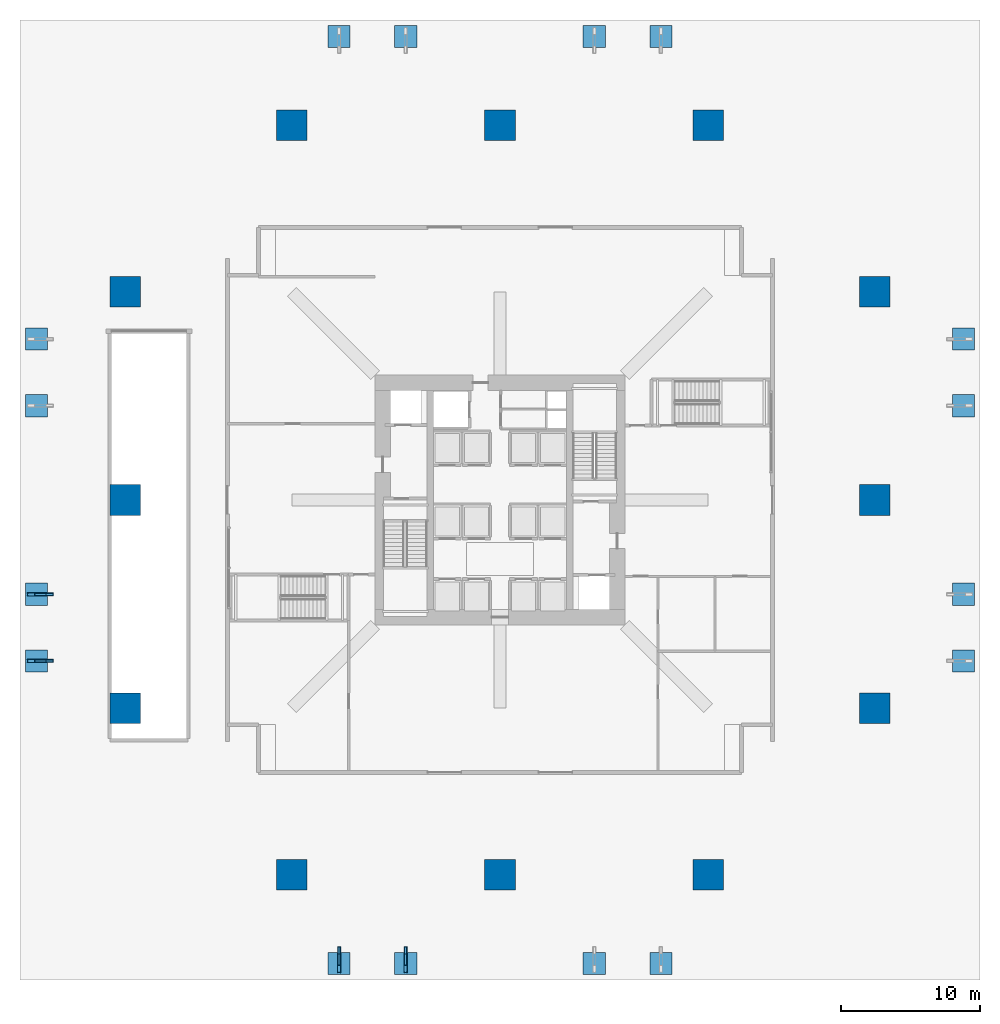
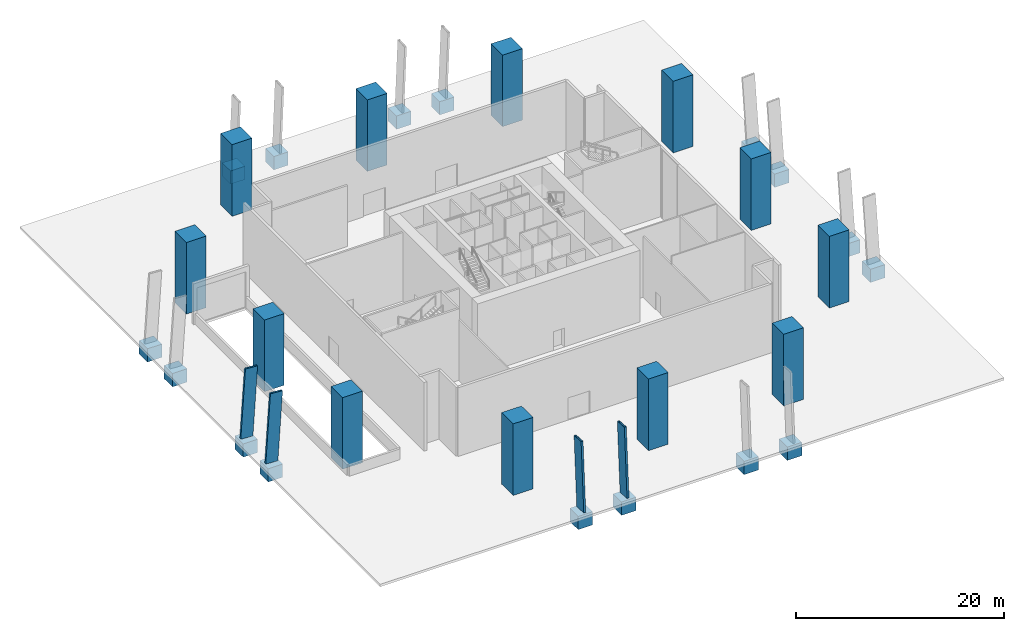
# One storey, part 1 of 12: 16 footings, 12 columns, 4 members.
"""IFC4 building model written with IfcOpenShell, lengths in metres."""

from ifc_helpers import new_model, si_unit, direction, frame, origin, origin_2d, place, context, subcontext, project, spatial, polyline, rectangle, hollow_rectangle, outline, extrude, material, layer, layer_set, material_profile, profile_set, type_object, element, save


model = new_model("IFC4")

# Units and contexts
model_context = context("Model", 3, precision=1e-05, world=origin(), true_north=direction((0.0, 1.0)))
body_context = subcontext(model_context, "Body", "Model", "MODEL_VIEW")
ifc_project = project(units=[si_unit("LENGTHUNIT", "METRE"), si_unit("AREAUNIT", "SQUARE_METRE"), si_unit("VOLUMEUNIT", "CUBIC_METRE"), si_unit("PLANEANGLEUNIT", "RADIAN"), si_unit("MASSUNIT", "GRAM", prefix="KILO")], contexts=[model_context])

# Site, building, storey
site_placement = place(None, origin())
site = spatial("IfcSite", under=ifc_project, at=site_placement, CompositionType="ELEMENT")
building_placement = place(site_placement, origin())
building = spatial("IfcBuilding", under=site, at=building_placement, Name="Belovzor Exchange Tower", CompositionType="ELEMENT")
storey_placement = place(building_placement, origin())
storey = spatial("IfcBuildingStorey", under=building, at=storey_placement, Name="L01", CompositionType="ELEMENT", Elevation=0.0)

# Footings
ifc_material_1 = material(Name="Concrete C50/60", Category="concrete")
ifc_layer = layer(ifc_material_1, 1.555908203125)
ifc_layer_set = layer_set([ifc_layer], Name="Concrete C50/60")
footing_type = type_object("IfcFootingType", Name="Reinforced Concrete Fin Arch Thrust Pad Footing 1600x1600", PredefinedType="PAD_FOOTING", material=ifc_layer_set)
footing_1_placement = place(storey_placement, frame((0.0, 0.0, -1.60009765625)))
element("IfcFooting", 1, at=footing_1_placement, inside=storey, type_object=footing_type, Name="PC-FIN Sweeping Fin Arch Thrust Pad Footing S1", PredefinedType="PAD_FOOTING", context=body_context, shape_type="SweptSolid", body=[
    extrude(outline(polyline([(16.39990234375, -5.39990234375), (18.0, -5.39990234375), (18.0, -3.800048828125), (16.39990234375, -3.800048828125), (16.39990234375, -5.39990234375)])), origin(), (0.0, 0.0, 1.0), 1.55615234375),
])
footing_2_placement = place(storey_placement, frame((0.0, 0.0, -1.60009765625)))
element("IfcFooting", 2, at=footing_2_placement, inside=storey, type_object=footing_type, Name="PC-FIN Sweeping Fin Arch Thrust Pad Footing N1", PredefinedType="PAD_FOOTING", context=body_context, shape_type="SweptSolid", body=[
    extrude(outline(polyline([(16.39990234375, 61.39990234375), (18.0, 61.39990234375), (18.0, 63.0), (16.39990234375, 63.0), (16.39990234375, 61.39990234375)])), origin(), (0.0, 0.0, 1.0), 1.55615234375),
])
footing_3_placement = place(storey_placement, frame((0.0, 0.0, -1.60009765625)))
element("IfcFooting", 3, at=footing_3_placement, inside=storey, type_object=footing_type, Name="PC-FIN Sweeping Fin Arch Thrust Pad Footing W1", PredefinedType="PAD_FOOTING", context=body_context, shape_type="SweptSolid", body=[
    extrude(outline(polyline([(-5.39990234375, 16.39990234375), (-3.800048828125, 16.39990234375), (-3.800048828125, 18.0), (-5.39990234375, 18.0), (-5.39990234375, 16.39990234375)])), origin(), (0.0, 0.0, 1.0), 1.55615234375),
])
footing_4_placement = place(storey_placement, frame((0.0, 0.0, -1.60009765625)))
element("IfcFooting", 4, at=footing_4_placement, inside=storey, type_object=footing_type, Name="PC-FIN Sweeping Fin Arch Thrust Pad Footing E1", PredefinedType="PAD_FOOTING", context=body_context, shape_type="SweptSolid", body=[
    extrude(outline(polyline([(61.39990234375, 16.39990234375), (63.0, 16.39990234375), (63.0, 18.0), (61.39990234375, 18.0), (61.39990234375, 16.39990234375)])), origin(), (0.0, 0.0, 1.0), 1.55615234375),
])
footing_5_placement = place(storey_placement, frame((0.0, 0.0, -1.60009765625)))
element("IfcFooting", 5, at=footing_5_placement, inside=storey, type_object=footing_type, Name="PC-FIN Sweeping Fin Arch Thrust Pad Footing S2", PredefinedType="PAD_FOOTING", context=body_context, shape_type="SweptSolid", body=[
    extrude(outline(polyline([(21.199951171875, -5.39990234375), (22.800048828125, -5.39990234375), (22.800048828125, -3.800048828125), (21.199951171875, -3.800048828125), (21.199951171875, -5.39990234375)])), origin(), (0.0, 0.0, 1.0), 1.55615234375),
])
footing_6_placement = place(storey_placement, frame((0.0, 0.0, -1.60009765625)))
element("IfcFooting", 6, at=footing_6_placement, inside=storey, type_object=footing_type, Name="PC-FIN Sweeping Fin Arch Thrust Pad Footing N2", PredefinedType="PAD_FOOTING", context=body_context, shape_type="SweptSolid", body=[
    extrude(outline(polyline([(21.199951171875, 61.39990234375), (22.800048828125, 61.39990234375), (22.800048828125, 63.0), (21.199951171875, 63.0), (21.199951171875, 61.39990234375)])), origin(), (0.0, 0.0, 1.0), 1.55615234375),
])
footing_7_placement = place(storey_placement, frame((0.0, 0.0, -1.60009765625)))
element("IfcFooting", 7, at=footing_7_placement, inside=storey, type_object=footing_type, Name="PC-FIN Sweeping Fin Arch Thrust Pad Footing W2", PredefinedType="PAD_FOOTING", context=body_context, shape_type="SweptSolid", body=[
    extrude(outline(polyline([(-5.39990234375, 21.199951171875), (-3.800048828125, 21.199951171875), (-3.800048828125, 22.800048828125), (-5.39990234375, 22.800048828125), (-5.39990234375, 21.199951171875)])), origin(), (0.0, 0.0, 1.0), 1.55615234375),
])
footing_8_placement = place(storey_placement, frame((0.0, 0.0, -1.60009765625)))
element("IfcFooting", 8, at=footing_8_placement, inside=storey, type_object=footing_type, Name="PC-FIN Sweeping Fin Arch Thrust Pad Footing E2", PredefinedType="PAD_FOOTING", context=body_context, shape_type="SweptSolid", body=[
    extrude(outline(polyline([(61.39990234375, 21.199951171875), (63.0, 21.199951171875), (63.0, 22.800048828125), (61.39990234375, 22.800048828125), (61.39990234375, 21.199951171875)])), origin(), (0.0, 0.0, 1.0), 1.55615234375),
])
footing_9_placement = place(storey_placement, frame((0.0, 0.0, -1.60009765625)))
element("IfcFooting", 9, at=footing_9_placement, inside=storey, type_object=footing_type, Name="PC-FIN Sweeping Fin Arch Thrust Pad Footing S3", PredefinedType="PAD_FOOTING", context=body_context, shape_type="SweptSolid", body=[
    extrude(outline(polyline([(34.800048828125, -5.39990234375), (36.39990234375, -5.39990234375), (36.39990234375, -3.800048828125), (34.800048828125, -3.800048828125), (34.800048828125, -5.39990234375)])), origin(), (0.0, 0.0, 1.0), 1.55615234375),
])
footing_10_placement = place(storey_placement, frame((0.0, 0.0, -1.60009765625)))
element("IfcFooting", 10, at=footing_10_placement, inside=storey, type_object=footing_type, Name="PC-FIN Sweeping Fin Arch Thrust Pad Footing N3", PredefinedType="PAD_FOOTING", context=body_context, shape_type="SweptSolid", body=[
    extrude(outline(polyline([(34.800048828125, 61.39990234375), (36.39990234375, 61.39990234375), (36.39990234375, 63.0), (34.800048828125, 63.0), (34.800048828125, 61.39990234375)])), origin(), (0.0, 0.0, 1.0), 1.55615234375),
])
footing_11_placement = place(storey_placement, frame((0.0, 0.0, -1.60009765625)))
element("IfcFooting", 11, at=footing_11_placement, inside=storey, type_object=footing_type, Name="PC-FIN Sweeping Fin Arch Thrust Pad Footing W3", PredefinedType="PAD_FOOTING", context=body_context, shape_type="SweptSolid", body=[
    extrude(outline(polyline([(-5.39990234375, 34.800048828125), (-3.800048828125, 34.800048828125), (-3.800048828125, 36.39990234375), (-5.39990234375, 36.39990234375), (-5.39990234375, 34.800048828125)])), origin(), (0.0, 0.0, 1.0), 1.55615234375),
])
footing_12_placement = place(storey_placement, frame((0.0, 0.0, -1.60009765625)))
element("IfcFooting", 12, at=footing_12_placement, inside=storey, type_object=footing_type, Name="PC-FIN Sweeping Fin Arch Thrust Pad Footing E3", PredefinedType="PAD_FOOTING", context=body_context, shape_type="SweptSolid", body=[
    extrude(outline(polyline([(61.39990234375, 34.800048828125), (63.0, 34.800048828125), (63.0, 36.39990234375), (61.39990234375, 36.39990234375), (61.39990234375, 34.800048828125)])), origin(), (0.0, 0.0, 1.0), 1.55615234375),
])
footing_13_placement = place(storey_placement, frame((0.0, 0.0, -1.60009765625)))
element("IfcFooting", 13, at=footing_13_placement, inside=storey, type_object=footing_type, Name="PC-FIN Sweeping Fin Arch Thrust Pad Footing S4", PredefinedType="PAD_FOOTING", context=body_context, shape_type="SweptSolid", body=[
    extrude(outline(polyline([(39.60009765625, -5.39990234375), (41.199951171875, -5.39990234375), (41.199951171875, -3.800048828125), (39.60009765625, -3.800048828125), (39.60009765625, -5.39990234375)])), origin(), (0.0, 0.0, 1.0), 1.55615234375),
])
footing_14_placement = place(storey_placement, frame((0.0, 0.0, -1.60009765625)))
element("IfcFooting", 14, at=footing_14_placement, inside=storey, type_object=footing_type, Name="PC-FIN Sweeping Fin Arch Thrust Pad Footing N4", PredefinedType="PAD_FOOTING", context=body_context, shape_type="SweptSolid", body=[
    extrude(outline(polyline([(39.60009765625, 61.39990234375), (41.199951171875, 61.39990234375), (41.199951171875, 63.0), (39.60009765625, 63.0), (39.60009765625, 61.39990234375)])), origin(), (0.0, 0.0, 1.0), 1.55615234375),
])
footing_15_placement = place(storey_placement, frame((0.0, 0.0, -1.60009765625)))
element("IfcFooting", 15, at=footing_15_placement, inside=storey, type_object=footing_type, Name="PC-FIN Sweeping Fin Arch Thrust Pad Footing W4", PredefinedType="PAD_FOOTING", context=body_context, shape_type="SweptSolid", body=[
    extrude(outline(polyline([(-5.39990234375, 39.60009765625), (-3.800048828125, 39.60009765625), (-3.800048828125, 41.199951171875), (-5.39990234375, 41.199951171875), (-5.39990234375, 39.60009765625)])), origin(), (0.0, 0.0, 1.0), 1.55615234375),
])
footing_16_placement = place(storey_placement, frame((0.0, 0.0, -1.60009765625)))
element("IfcFooting", 16, at=footing_16_placement, inside=storey, type_object=footing_type, Name="PC-FIN Sweeping Fin Arch Thrust Pad Footing E4", PredefinedType="PAD_FOOTING", context=body_context, shape_type="SweptSolid", body=[
    extrude(outline(polyline([(61.39990234375, 39.60009765625), (63.0, 39.60009765625), (63.0, 41.199951171875), (61.39990234375, 41.199951171875), (61.39990234375, 39.60009765625)])), origin(), (0.0, 0.0, 1.0), 1.55615234375),
])

# Columns
ifc_material_2 = material(Name="Concrete C60/75", Category="concrete")
ifc_material_profile_1 = material_profile(ifc_material_2, rectangle(XDim=2.199951171875, YDim=2.199951171875, at=origin_2d()))
ifc_profile_set_1 = profile_set([ifc_material_profile_1], Name="Concrete C60/75")
column_type = type_object("IfcColumnType", Name="Sculpted Mega-Pilotis Composite Column 2200x2200", PredefinedType="PILASTER", material=ifc_profile_set_1)
for number, where, z_axis, x_axis, name in (
    (17, (13.800048828125, 1.800048828125, 0.001953125), (0.0, 0.0, 1.0), (1.0, 0.0, 0.0), "COL-MP220 Sculpted Mega-Pilotis Composite Column 2200x2200"),
    (18, (28.800048828125, 1.800048828125, 0.001953125), (0.0, 0.0, 1.0), (1.0, 0.0, 0.0), "COL-MP220 Sculpted Mega-Pilotis Composite Column 2200x2200"),
    (19, (43.800048828125, 1.800048828125, 0.001953125), (0.0, 0.0, 1.0), (1.0, 0.0, 0.0), "COL-MP220 Sculpted Mega-Pilotis Composite Column 2200x2200"),
    (20, (55.800048828125, 13.800048828125, 0.001953125), (0.0, 0.0, 1.0), (1.0, 0.0, 0.0), "COL-MP220 Sculpted Mega-Pilotis Composite Column 2200x2200"),
    (21, (55.800048828125, 28.800048828125, 0.001953125), (0.0, 0.0, 1.0), (1.0, 0.0, 0.0), "COL-MP220 Sculpted Mega-Pilotis Composite Column 2200x2200"),
    (22, (55.800048828125, 43.800048828125, 0.001953125), (0.0, 0.0, 1.0), (1.0, 0.0, 0.0), "COL-MP220 Sculpted Mega-Pilotis Composite Column 2200x2200"),
    (23, (43.800048828125, 55.800048828125, 0.001953125), (0.0, 0.0, 1.0), (1.0, 0.0, 0.0), "COL-MP220 Sculpted Mega-Pilotis Composite Column 2200x2200"),
    (24, (28.800048828125, 55.800048828125, 0.001953125), (0.0, 0.0, 1.0), (1.0, 0.0, 0.0), "COL-MP220 Sculpted Mega-Pilotis Composite Column 2200x2200"),
    (25, (13.800048828125, 55.800048828125, 0.001953125), (0.0, 0.0, 1.0), (1.0, 0.0, 0.0), "COL-MP220 Sculpted Mega-Pilotis Composite Column 2200x2200"),
    (26, (1.800048828125, 43.800048828125, 0.001953125), (0.0, 0.0, 1.0), (1.0, 0.0, 0.0), "COL-MP220 Sculpted Mega-Pilotis Composite Column 2200x2200"),
    (27, (1.800048828125, 28.800048828125, 0.001953125), (0.0, 0.0, 1.0), (1.0, 0.0, 0.0), "COL-MP220 Sculpted Mega-Pilotis Composite Column 2200x2200"),
    (28, (1.800048828125, 13.800048828125, 0.001953125), (0.0, 0.0, 1.0), (1.0, 0.0, 0.0), "COL-MP220 Sculpted Mega-Pilotis Composite Column 2200x2200"),
):
    element("IfcColumn", number, at=place(storey_placement, frame(where, z_axis=z_axis, x_axis=x_axis)), inside=storey, type_object=column_type, Name=name, PredefinedType="PILASTER", context=body_context, shape_type="SweptSolid", body=[
        extrude(rectangle(XDim=2.199951171875, YDim=2.199951171875, at=origin_2d()), origin(), (0.0, 0.0, 1.0), 8.39599609375),
    ])

# Members
ifc_material_3 = material(Name="Extruded Architectural Terracotta on Steel S355 Carrier", Category="masonry")
ifc_material_profile_2 = material_profile(ifc_material_3, hollow_rectangle(XDim=0.219970703125, YDim=1.35009765625, WallThickness=0.013916015625, at=origin_2d()))
ifc_profile_set_2 = profile_set([ifc_material_profile_2], Name="Extruded Architectural Terracotta on Steel S355 Carrier")
member_type = type_object("IfcMemberType", Name="Base Arc Sweeping Terracotta Pylon Fin 1450", PredefinedType="USERDEFINED", material=ifc_profile_set_2)
for number, where, z_axis, x_axis, name in (
    (29, (17.199951171875, -4.60009765625, 0.0), (0.0, 0.064343388209, 0.997927817226), (-1.0, 0.0, 0.0), "FIN-TC145 Sweeping Base Pylon Fin L01 S1"),
    (30, (-4.60009765625, 17.199951171875, 0.0), (0.064343388209, 0.0, 0.997927817226), (0.0, 1.0, 0.0), "FIN-TC145 Sweeping Base Pylon Fin L01 W1"),
    (31, (22.0, -4.60009765625, 0.0), (0.0, 0.064343388209, 0.997927817226), (-1.0, 0.0, 0.0), "FIN-TC145 Sweeping Base Pylon Fin L01 S2"),
    (32, (-4.60009765625, 22.0, 0.0), (0.064343388209, 0.0, 0.997927817226), (0.0, 1.0, 0.0), "FIN-TC145 Sweeping Base Pylon Fin L01 W2"),
):
    element("IfcMember", number, at=place(storey_placement, frame(where, z_axis=z_axis, x_axis=x_axis)), inside=storey, type_object=member_type, Name=name, ObjectType="FIN", PredefinedType="USERDEFINED", context=body_context, shape_type="SweptSolid", body=[
        extrude(hollow_rectangle(XDim=0.219970703125, YDim=1.35009765625, WallThickness=0.013916015625, at=origin_2d()), origin(), (0.0, 0.0, 1.0), 8.066650390625),
    ])

save(model, "model.ifc")
